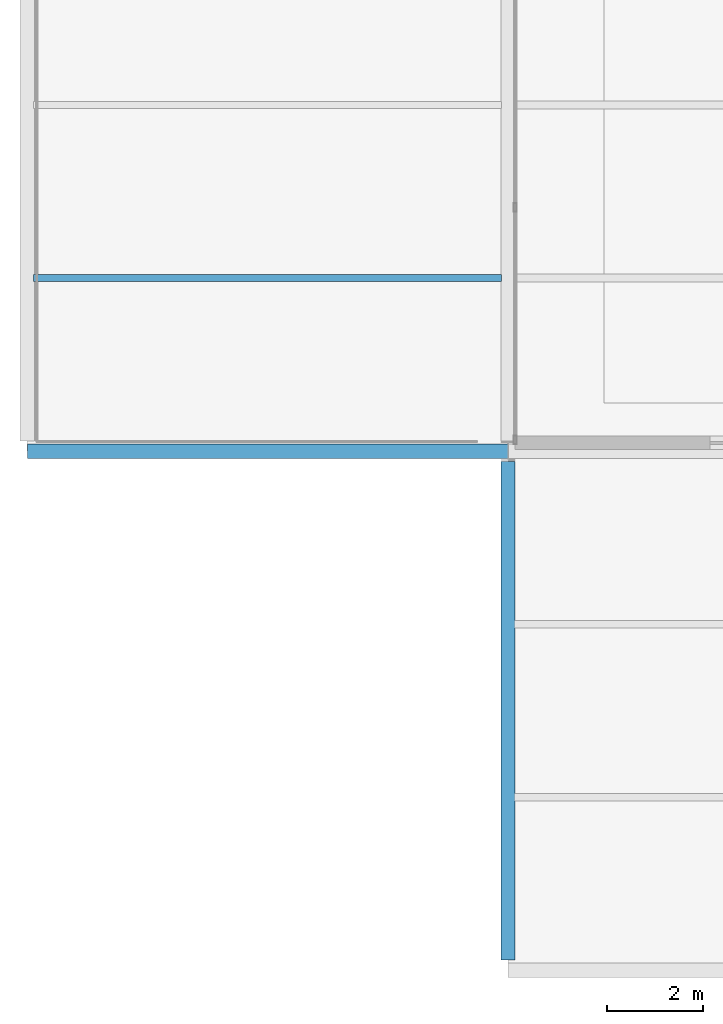
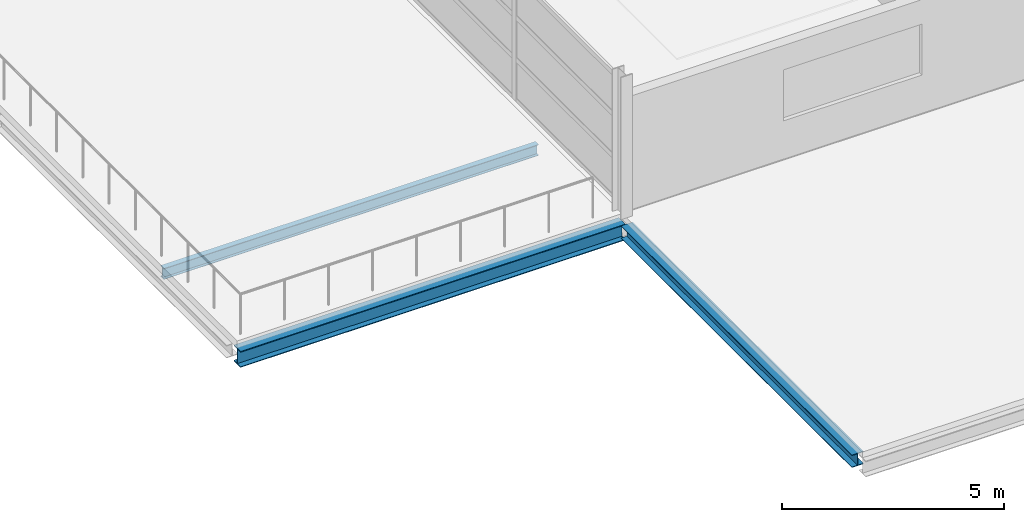
# One storey, part 5 of 33: 3 beams.
"""IFC4 building model written with IfcOpenShell, lengths in metres."""

from ifc_helpers import new_model, si_unit, direction, frame, origin, origin_2d, place, context, subcontext, project, spatial, i_section, extrude, material, material_profile, profile_set, type_object, element, save


model = new_model("IFC4")

# Units and contexts
model_context = context("Model", 3, precision=1e-05, world=origin(), true_north=direction((0.0, 1.0)))
body_context = subcontext(model_context, "Body", "Model", "MODEL_VIEW")
ifc_project = project(units=[si_unit("LENGTHUNIT", "METRE"), si_unit("AREAUNIT", "SQUARE_METRE"), si_unit("VOLUMEUNIT", "CUBIC_METRE"), si_unit("PLANEANGLEUNIT", "RADIAN"), si_unit("MASSUNIT", "GRAM", prefix="KILO")], contexts=[model_context])

# Site, building, storey
site_placement = place(None, origin())
site = spatial("IfcSite", under=ifc_project, at=site_placement, CompositionType="ELEMENT")
building_placement = place(site_placement, origin())
building = spatial("IfcBuilding", under=site, at=building_placement, Name="Tamarisk Ironworks Central Station", CompositionType="ELEMENT")
storey_placement = place(building_placement, frame((0.0, 0.0, 21.300048828125)))
storey = spatial("IfcBuildingStorey", under=building, at=storey_placement, Name="L04", CompositionType="ELEMENT", Elevation=21.300048828125)

# Beams
ifc_material = material(Name="Structural steel S355J2", Category="steel")
ifc_material_profile_1 = material_profile(ifc_material, i_section(OverallWidth=0.14990234375, OverallDepth=0.300048828125, WebThickness=0.007080078125, FlangeThickness=0.0107421875, at=origin_2d()), Name="IPE 300")
ifc_profile_set_1 = profile_set([ifc_material_profile_1], Name="Structural steel S355J2")
beam_type_1 = type_object("IfcBeamType", Name="BM-B07", PredefinedType="BEAM", material=ifc_profile_set_1)
beam_1_placement = place(storey_placement, frame((118.135009765625, 93.60009765625, -0.35009765625), z_axis=(1.0, 0.0, 0.0), x_axis=(0.0, 1.0, 0.0)))
element("IfcBeam", 1, at=beam_1_placement, inside=storey, type_object=beam_type_1, Name="L04 secondary composite beam 0233", PredefinedType="BEAM", context=body_context, shape_type="SweptSolid", body=[
    extrude(i_section(OverallWidth=0.14990234375, OverallDepth=0.300048828125, WebThickness=0.007080078125, FlangeThickness=0.0107421875, at=origin_2d()), origin(), (0.0, 0.0, 1.0), 9.72998046875),
])
ifc_material_profile_2 = material_profile(ifc_material, i_section(OverallWidth=0.300048828125, OverallDepth=0.43994140625, WebThickness=0.011474609375, FlangeThickness=0.02099609375, at=origin_2d()), Name="HEA 450")
ifc_profile_set_2 = profile_set([ifc_material_profile_2], Name="Structural steel S355J2")
beam_type_2 = type_object("IfcBeamType", Name="BM-G06", PredefinedType="BEAM", material=ifc_profile_set_2)
beam_2_placement = place(storey_placement, frame((118.00390625, 90.0, -0.420166015625), z_axis=(1.0, 0.0, 0.0), x_axis=(0.0, 1.0, 0.0)))
element("IfcBeam", 2, at=beam_2_placement, inside=storey, type_object=beam_type_2, Name="L04 primary girder X-0710", PredefinedType="BEAM", context=body_context, shape_type="SweptSolid", body=[
    extrude(i_section(OverallWidth=0.300048828125, OverallDepth=0.43994140625, WebThickness=0.011474609375, FlangeThickness=0.02099609375, at=origin_2d()), origin(), (0.0, 0.0, 1.0), 9.9921875),
])
ifc_material_profile_3 = material_profile(ifc_material, i_section(OverallWidth=0.300048828125, OverallDepth=0.35009765625, WebThickness=0.010009765625, FlangeThickness=0.017578125, at=origin_2d()), Name="HEA 360")
ifc_profile_set_3 = profile_set([ifc_material_profile_3], Name="Structural steel S355J2")
beam_type_3 = type_object("IfcBeamType", Name="BM-G08", PredefinedType="BEAM", material=ifc_profile_set_3)
beam_3_placement = place(storey_placement, frame((128.0, 79.4130859375, -0.3349609375), z_axis=(0.0, 1.0, 0.0), x_axis=(-1.0, 0.0, 0.0)))
element("IfcBeam", 3, at=beam_3_placement, inside=storey, type_object=beam_type_3, Name="L04 primary girder Y-0733", PredefinedType="BEAM", context=body_context, shape_type="SweptSolid", body=[
    extrude(i_section(OverallWidth=0.300048828125, OverallDepth=0.35009765625, WebThickness=0.010009765625, FlangeThickness=0.017578125, at=origin_2d()), origin(), (0.0, 0.0, 1.0), 10.3740234375),
])

save(model, "model.ifc")
